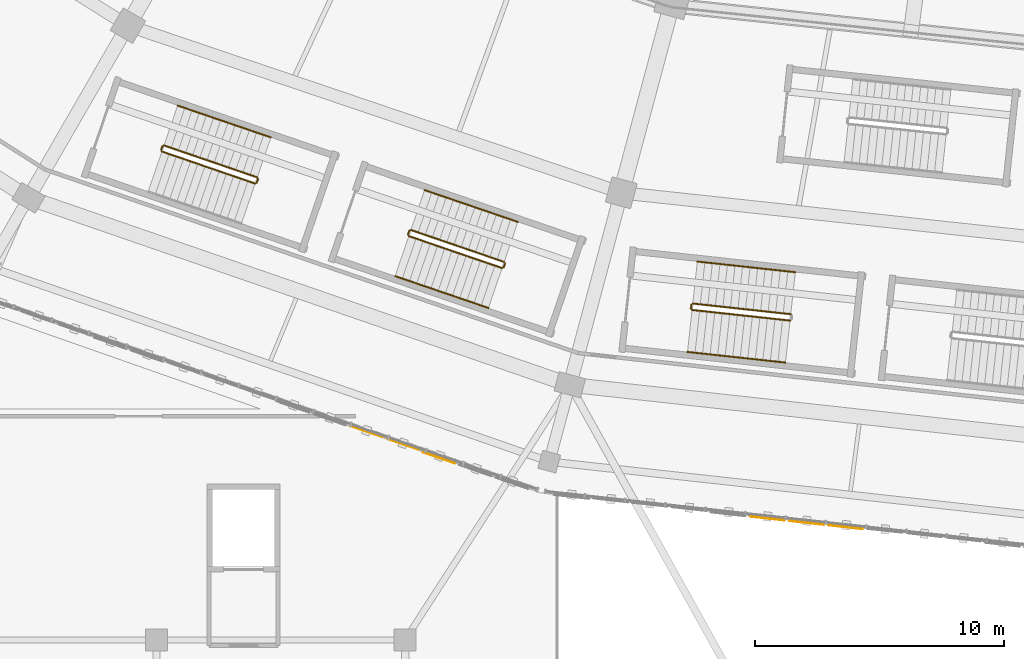
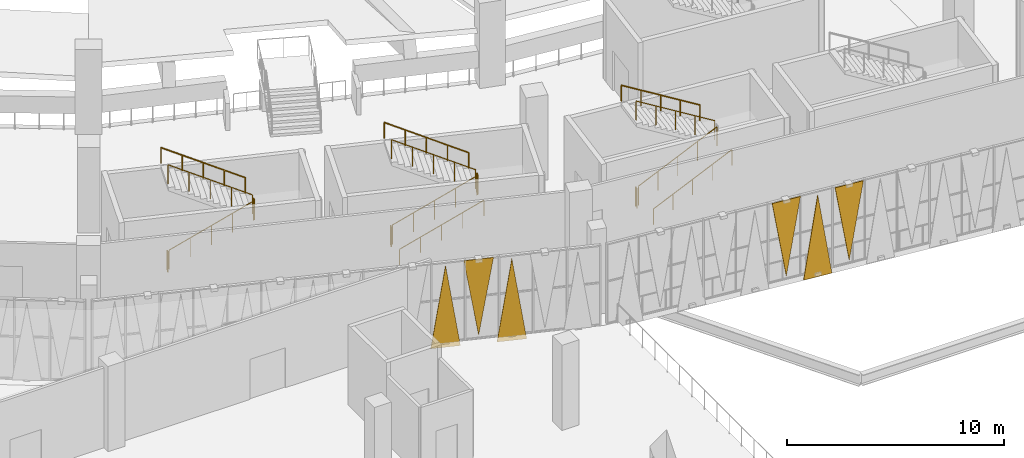
# One storey, part 133 of 183: 16 railings, 6 coverings.
"""IFC4 building model written with IfcOpenShell, lengths in metres."""

from ifc_helpers import new_model, si_unit, direction, frame, origin, origin_2d, place, context, subcontext, project, spatial, polyline, circle, outline, extrude, material, layer, layer_set, type_object, element, save


model = new_model("IFC4")

# Units and contexts
model_context = context("Model", 3, precision=1e-05, world=origin(), true_north=direction((0.0, 1.0)))
body_context = subcontext(model_context, "Body", "Model", "MODEL_VIEW")
ifc_project = project(units=[si_unit("LENGTHUNIT", "METRE"), si_unit("AREAUNIT", "SQUARE_METRE"), si_unit("VOLUMEUNIT", "CUBIC_METRE"), si_unit("PLANEANGLEUNIT", "RADIAN"), si_unit("MASSUNIT", "GRAM", prefix="KILO")], contexts=[model_context])

# Site, building, storey
site_placement = place(None, origin())
site = spatial("IfcSite", under=ifc_project, at=site_placement, CompositionType="ELEMENT")
building_placement = place(site_placement, origin())
building = spatial("IfcBuilding", under=site, at=building_placement, Name="Zevraka Park Crest Stadium", CompositionType="ELEMENT")
storey_placement = place(building_placement, frame((0.0, 0.0, 5.39990234375)))
storey = spatial("IfcBuildingStorey", under=building, at=storey_placement, Name="L01", CompositionType="ELEMENT", Elevation=5.39990234375)

# Coverings
ifc_material_1 = material(Name="Architectural golden-bronze perforated aluminium", Category="aluminium")
ifc_layer = layer(ifc_material_1, 0.034912109375)
ifc_layer_set = layer_set([ifc_layer], Name="Architectural golden-bronze perforated aluminium")
covering_type = type_object("IfcCoveringType", Name="CLD01", PredefinedType="CLADDING", material=ifc_layer_set)
covering_1_placement = place(storey_placement, frame((79.777099609375, 17.59912109375, -0.260009765625), z_axis=(-0.329491998785, -0.944158359092, 0.000125273108), x_axis=(0.9441583665, -0.329492001371, 0.0)))
element("IfcCovering", 1, at=covering_1_placement, inside=storey, type_object=covering_type, Name="Triangular Golden-Bronze Perforated Cladding L01-16-11", PredefinedType="CLADDING", context=body_context, shape_type="SweptSolid", body=[
    extrude(outline(polyline([(0.0, 0.0), (1.3937470825233202, -6.776263578034403e-21), (0.6966724353037923, 4.600097692345475), (0.0, 0.0)])), origin(), (0.0, 0.0, -1.0), 0.034912109375),
])
covering_2_placement = place(storey_placement, frame((82.56103515625, 16.62890625, 4.5), z_axis=(-0.329063674373, -0.94430772513, 0.000135893381), x_axis=(-0.94430773385, 0.329063677412, 0.0)))
element("IfcCovering", 2, at=covering_2_placement, inside=storey, type_object=covering_type, Name="Triangular Golden-Bronze Perforated Cladding L01-16-12", PredefinedType="CLADDING", context=body_context, shape_type="SweptSolid", body=[
    extrude(outline(polyline([(0.0, 0.0), (1.3948193207160489, 1.3552527156068805e-20), (0.6975948005547897, 4.2797851957674204), (0.0, 0.0)])), origin(), (0.0, 0.0, -1.0), 0.034912109375),
])
covering_3_placement = place(storey_placement, frame((82.7119140625, 16.575927734375, -0.260009765625), z_axis=(0.329281369478, 0.944231841946, 9.1488324e-05), x_axis=(0.944231845897, -0.329281370856, 0.0)))
element("IfcCovering", 3, at=covering_3_placement, inside=storey, type_object=covering_type, Name="Triangular Golden-Bronze Perforated Cladding L01-16-13", PredefinedType="CLADDING", context=body_context, shape_type="SweptSolid", body=[
    extrude(outline(polyline([(0.0, 0.0), (1.3938971822371224, 0.0), (0.6972246357144259, -4.60009767550167), (0.0, 0.0)])), origin(), (0.0, 0.0, -1.0), 0.034912109375),
])
covering_4_placement = place(storey_placement, frame((97.2880859375, 13.830078125, 4.5), z_axis=(0.110111997488, 0.993919181061, 9.760997e-05), x_axis=(-0.993919185796, 0.110111998013, 0.0)))
element("IfcCovering", 4, at=covering_4_placement, inside=storey, type_object=covering_type, Name="Triangular Golden-Bronze Perforated Cladding L01-17-6", PredefinedType="CLADDING", context=body_context, shape_type="SweptSolid", body=[
    extrude(outline(polyline([(0.0, 0.0), (1.4256613694050126, 1.6940658945086007e-21), (0.7123856968180892, -4.279785176638269), (0.0, 0.0)])), origin(), (0.0, 0.0, -1.0), 0.034912109375),
])
covering_5_placement = place(storey_placement, frame((97.447021484375, 13.81298828125, -0.260009765625), z_axis=(0.110111997218, 0.993919178618, 0.000120187557), x_axis=(0.993919185796, -0.110111998013, 0.0)))
element("IfcCovering", 5, at=covering_5_placement, inside=storey, type_object=covering_type, Name="Triangular Golden-Bronze Perforated Cladding L01-17-7", PredefinedType="CLADDING", context=body_context, shape_type="SweptSolid", body=[
    extrude(outline(polyline([(0.0, 0.0), (1.4256613694050126, 0.0), (0.713383203834983, -4.600097689474318), (0.0, 0.0)])), origin(), (0.0, 0.0, -1.0), 0.034912109375),
])
covering_6_placement = place(storey_placement, frame((100.44091796875, 13.48095703125, 4.5), z_axis=(0.110037080729, 0.993927472592, 0.000141746645), x_axis=(-0.993927482577, 0.110037081835, 0.0)))
element("IfcCovering", 6, at=covering_6_placement, inside=storey, type_object=covering_type, Name="Triangular Golden-Bronze Perforated Cladding L01-17-8", PredefinedType="CLADDING", context=body_context, shape_type="SweptSolid", body=[
    extrude(outline(polyline([(0.0, 0.0), (1.4266319976624326, 0.0), (0.7133831601360472, -4.2797851992449605), (0.0, 0.0)])), origin(), (0.0, 0.0, -1.0), 0.034912109375),
])

# Railings
ifc_material_2 = material(Name="Powder-coated tubular steel stairwell guard", Category="steel")
railing_type_1 = type_object("IfcRailingType", Name="GR03", PredefinedType="GUARDRAIL", material=ifc_material_2)
railing_1_placement = place(storey_placement, frame((72.218017578125, 28.649658203125, 0.171630859375)))
element("IfcRailing", 7, at=railing_1_placement, inside=storey, type_object=railing_type_1, Name="L01 ST17 stair guard 1", PredefinedType="GUARDRAIL", context=body_context, shape_type="SweptSolid", body=[
    extrude(circle(Radius=0.02392578125, at=origin_2d()), frame((0.0, 0.0, 1.076171875), z_axis=(0.824739296281, -0.282392023283, 0.489959017016), x_axis=(0.323938619155, 0.946078099852, 0.0)), (0.0, 0.0, 1.0), 4.54833984375),
    extrude(circle(Radius=0.02099609375, at=origin_2d()), origin(), (0.0, 0.0, 1.0), 1.052001953125),
    extrude(circle(Radius=0.02099609375, at=origin_2d()), frame((0.937744140625, -0.321044921875, 0.55712890625)), (0.0, 0.0, 1.0), 1.052001953125),
    extrude(circle(Radius=0.02099609375, at=origin_2d()), frame((1.87548828125, -0.64208984375, 1.1142578125)), (0.0, 0.0, 1.0), 1.052001953125),
    extrude(circle(Radius=0.02099609375, at=origin_2d()), frame((2.8134765625, -0.96337890625, 1.67138671875)), (0.0, 0.0, 1.0), 1.052001953125),
    extrude(circle(Radius=0.02099609375, at=origin_2d()), frame((3.751220703125, -1.284423828125, 2.228515625)), (0.0, 0.0, 1.0), 1.052001953125),
])
railing_2_placement = place(storey_placement, frame((76.03271484375, 27.396240234375, 2.400146484375)))
element("IfcRailing", 8, at=railing_2_placement, inside=storey, type_object=railing_type_1, Name="L01 ST17 stair guard 2", PredefinedType="GUARDRAIL", context=body_context, shape_type="SweptSolid", body=[
    extrude(circle(Radius=0.02392578125, at=origin_2d()), frame((0.0, 0.0, 1.076171875), z_axis=(0.324909238665, 0.945745201748, 0.0), x_axis=(-0.945745201748, 0.324909238665, 0.0)), (0.0, 0.0, 1.0), 0.16015625),
    extrude(circle(Radius=0.02099609375, at=origin_2d()), origin(), (0.0, 0.0, 1.0), 1.052001953125),
    extrude(circle(Radius=0.02099609375, at=origin_2d()), frame((0.052001953125, 0.1513671875, 0.0)), (0.0, 0.0, 1.0), 1.052001953125),
])
railing_3_placement = place(storey_placement, frame((76.053466796875, 27.611083984375, 2.571533203125)))
element("IfcRailing", 9, at=railing_3_placement, inside=storey, type_object=railing_type_1, Name="L01 ST17 stair guard 3", PredefinedType="GUARDRAIL", context=body_context, shape_type="SweptSolid", body=[
    extrude(circle(Radius=0.02392578125, at=origin_2d()), frame((0.0, 0.0, 1.076171875), z_axis=(-0.824726794133, 0.282441418206, 0.489951589772), x_axis=(-0.32399372979, -0.946059228091, 0.0)), (0.0, 0.0, 1.0), 4.54833984375),
    extrude(circle(Radius=0.02099609375, at=origin_2d()), origin(), (0.0, 0.0, 1.0), 1.052001953125),
    extrude(circle(Radius=0.02099609375, at=origin_2d()), frame((-0.937744140625, 0.3212890625, 0.55712890625)), (0.0, 0.0, 1.0), 1.052001953125),
    extrude(circle(Radius=0.02099609375, at=origin_2d()), frame((-1.87548828125, 0.642333984375, 1.1142578125)), (0.0, 0.0, 1.0), 1.052001953125),
    extrude(circle(Radius=0.02099609375, at=origin_2d()), frame((-2.8134765625, 0.96337890625, 1.67138671875)), (0.0, 0.0, 1.0), 1.052001953125),
    extrude(circle(Radius=0.02099609375, at=origin_2d()), frame((-3.751220703125, 1.28466796875, 2.228515625)), (0.0, 0.0, 1.0), 1.052001953125),
])
railing_4_placement = place(storey_placement, frame((72.18701171875, 28.713134765625, 0.0)))
element("IfcRailing", 10, at=railing_4_placement, inside=storey, type_object=railing_type_1, Name="L01 ST17 stair guard 4", PredefinedType="GUARDRAIL", context=body_context, shape_type="SweptSolid", body=[
    extrude(circle(Radius=0.02392578125, at=origin_2d()), frame((0.0, 0.0, 1.076171875), z_axis=(0.32354385955, 0.946213174156, 0.0), x_axis=(-0.946213174156, 0.32354385955, 0.0)), (0.0, 0.0, 1.0), 0.159912109375),
    extrude(circle(Radius=0.02099609375, at=origin_2d()), origin(), (0.0, 0.0, 1.0), 1.052001953125),
    extrude(circle(Radius=0.02099609375, at=origin_2d()), frame((0.0517578125, 0.1513671875, 0.0)), (0.0, 0.0, 1.0), 1.052001953125),
])
railing_5_placement = place(storey_placement, frame((93.546630859375, 22.278076171875, 0.171630859375)))
element("IfcRailing", 11, at=railing_5_placement, inside=storey, type_object=railing_type_1, Name="L01 ST18 stair guard 1", PredefinedType="GUARDRAIL", context=body_context, shape_type="SweptSolid", body=[
    extrude(circle(Radius=0.02392578125, at=origin_2d()), frame((0.0, 0.0, 1.076171875), z_axis=(0.866636892187, -0.094307012237, 0.489945593452), x_axis=(0.108180884773, 0.994131226836, 0.0)), (0.0, 0.0, 1.0), 4.548583984375),
    extrude(circle(Radius=0.02099609375, at=origin_2d()), origin(), (0.0, 0.0, 1.0), 1.052001953125),
    extrude(circle(Radius=0.02099609375, at=origin_2d()), frame((0.9853515625, -0.107177734375, 0.55712890625)), (0.0, 0.0, 1.0), 1.052001953125),
    extrude(circle(Radius=0.02099609375, at=origin_2d()), frame((1.970947265625, -0.21435546875, 1.1142578125)), (0.0, 0.0, 1.0), 1.052001953125),
    extrude(circle(Radius=0.02099609375, at=origin_2d()), frame((2.95654296875, -0.32177734375, 1.67138671875)), (0.0, 0.0, 1.0), 1.052001953125),
    extrude(circle(Radius=0.02099609375, at=origin_2d()), frame((3.94189453125, -0.428955078125, 2.228515625)), (0.0, 0.0, 1.0), 1.052001953125),
])
railing_6_placement = place(storey_placement, frame((97.5166015625, 22.107666015625, 2.571533203125)))
element("IfcRailing", 12, at=railing_6_placement, inside=storey, type_object=railing_type_1, Name="L01 ST18 stair guard 3", PredefinedType="GUARDRAIL", context=body_context, shape_type="SweptSolid", body=[
    extrude(circle(Radius=0.02392578125, at=origin_2d()), frame((0.0, 0.0, 1.076171875), z_axis=(-0.866623529368, 0.094311399263, 0.489968385015), x_axis=(-0.10818750693, -0.994130506193, 0.0)), (0.0, 0.0, 1.0), 4.54833984375),
    extrude(circle(Radius=0.02099609375, at=origin_2d()), origin(), (0.0, 0.0, 1.0), 1.052001953125),
    extrude(circle(Radius=0.02099609375, at=origin_2d()), frame((-0.9853515625, 0.107177734375, 0.55712890625)), (0.0, 0.0, 1.0), 1.052001953125),
    extrude(circle(Radius=0.02099609375, at=origin_2d()), frame((-1.970703125, 0.21435546875, 1.1142578125)), (0.0, 0.0, 1.0), 1.052001953125),
    extrude(circle(Radius=0.02099609375, at=origin_2d()), frame((-2.956298828125, 0.32177734375, 1.67138671875)), (0.0, 0.0, 1.0), 1.052001953125),
    extrude(circle(Radius=0.02099609375, at=origin_2d()), frame((-3.941650390625, 0.428955078125, 2.228515625)), (0.0, 0.0, 1.0), 1.052001953125),
])
railing_7_placement = place(storey_placement, frame((93.50244140625, 22.333251953125, 0.0)))
element("IfcRailing", 13, at=railing_7_placement, inside=storey, type_object=railing_type_1, Name="L01 ST18 stair guard 4", PredefinedType="GUARDRAIL", context=body_context, shape_type="SweptSolid", body=[
    extrude(circle(Radius=0.02392578125, at=origin_2d()), frame((0.0, 0.0, 1.076171875), z_axis=(0.108255734054, 0.994123078921, 0.0), x_axis=(-0.994123078921, 0.108255734054, 0.0)), (0.0, 0.0, 1.0), 0.16015625),
    extrude(circle(Radius=0.02099609375, at=origin_2d()), origin(), (0.0, 0.0, 1.0), 1.052001953125),
    extrude(circle(Radius=0.02099609375, at=origin_2d()), frame((0.017333984375, 0.1591796875, 0.0)), (0.0, 0.0, 1.0), 1.052001953125),
])
railing_8_placement = place(storey_placement, frame((82.152099609375, 25.248779296875, 0.171630859375)))
element("IfcRailing", 14, at=railing_8_placement, inside=storey, type_object=railing_type_1, Name="L01 ST29 stair guard 1", PredefinedType="GUARDRAIL", context=body_context, shape_type="SweptSolid", body=[
    extrude(circle(Radius=0.02392578125, at=origin_2d()), frame((0.0, 0.0, 1.076171875), z_axis=(0.824726794133, -0.282441418206, 0.489951589772), x_axis=(0.32399372979, 0.946059228091, 0.0)), (0.0, 0.0, 1.0), 4.54833984375),
    extrude(circle(Radius=0.02099609375, at=origin_2d()), origin(), (0.0, 0.0, 1.0), 1.052001953125),
    extrude(circle(Radius=0.02099609375, at=origin_2d()), frame((0.937744140625, -0.3212890625, 0.55712890625)), (0.0, 0.0, 1.0), 1.052001953125),
    extrude(circle(Radius=0.02099609375, at=origin_2d()), frame((1.87548828125, -0.642333984375, 1.1142578125)), (0.0, 0.0, 1.0), 1.052001953125),
    extrude(circle(Radius=0.02099609375, at=origin_2d()), frame((2.8134765625, -0.96337890625, 1.67138671875)), (0.0, 0.0, 1.0), 1.052001953125),
    extrude(circle(Radius=0.02099609375, at=origin_2d()), frame((3.751220703125, -1.28466796875, 2.228515625)), (0.0, 0.0, 1.0), 1.052001953125),
])
railing_9_placement = place(storey_placement, frame((85.966796875, 23.9951171875, 2.400146484375)))
element("IfcRailing", 15, at=railing_9_placement, inside=storey, type_object=railing_type_1, Name="L01 ST29 stair guard 2", PredefinedType="GUARDRAIL", context=body_context, shape_type="SweptSolid", body=[
    extrude(circle(Radius=0.02392578125, at=origin_2d()), frame((0.0, 0.0, 1.076171875), z_axis=(0.32354385955, 0.946213174156, 0.0), x_axis=(-0.946213174156, 0.32354385955, 0.0)), (0.0, 0.0, 1.0), 0.159912109375),
    extrude(circle(Radius=0.02099609375, at=origin_2d()), origin(), (0.0, 0.0, 1.0), 1.052001953125),
    extrude(circle(Radius=0.02099609375, at=origin_2d()), frame((0.0517578125, 0.1513671875, 0.0)), (0.0, 0.0, 1.0), 1.052001953125),
])
railing_10_placement = place(storey_placement, frame((85.987548828125, 24.210205078125, 2.571533203125)))
element("IfcRailing", 16, at=railing_10_placement, inside=storey, type_object=railing_type_1, Name="L01 ST29 stair guard 3", PredefinedType="GUARDRAIL", context=body_context, shape_type="SweptSolid", body=[
    extrude(circle(Radius=0.02392578125, at=origin_2d()), frame((0.0, 0.0, 1.076171875), z_axis=(-0.824739296281, 0.282392023283, 0.489959017016), x_axis=(-0.323938619155, -0.946078099852, 0.0)), (0.0, 0.0, 1.0), 4.54833984375),
    extrude(circle(Radius=0.02099609375, at=origin_2d()), origin(), (0.0, 0.0, 1.0), 1.052001953125),
    extrude(circle(Radius=0.02099609375, at=origin_2d()), frame((-0.937744140625, 0.321044921875, 0.55712890625)), (0.0, 0.0, 1.0), 1.052001953125),
    extrude(circle(Radius=0.02099609375, at=origin_2d()), frame((-1.87548828125, 0.64208984375, 1.1142578125)), (0.0, 0.0, 1.0), 1.052001953125),
    extrude(circle(Radius=0.02099609375, at=origin_2d()), frame((-2.8134765625, 0.96337890625, 1.67138671875)), (0.0, 0.0, 1.0), 1.052001953125),
    extrude(circle(Radius=0.02099609375, at=origin_2d()), frame((-3.751220703125, 1.284423828125, 2.228515625)), (0.0, 0.0, 1.0), 1.052001953125),
])
railing_11_placement = place(storey_placement, frame((82.12109375, 25.312255859375, 0.0)))
element("IfcRailing", 17, at=railing_11_placement, inside=storey, type_object=railing_type_1, Name="L01 ST29 stair guard 4", PredefinedType="GUARDRAIL", context=body_context, shape_type="SweptSolid", body=[
    extrude(circle(Radius=0.02392578125, at=origin_2d()), frame((0.0, 0.0, 1.076171875), z_axis=(0.32354385955, 0.946213174156, 0.0), x_axis=(-0.946213174156, 0.32354385955, 0.0)), (0.0, 0.0, 1.0), 0.159912109375),
    extrude(circle(Radius=0.02099609375, at=origin_2d()), origin(), (0.0, 0.0, 1.0), 1.052001953125),
    extrude(circle(Radius=0.02099609375, at=origin_2d()), frame((0.0517578125, 0.1513671875, 0.0)), (0.0, 0.0, 1.0), 1.052001953125),
])
ifc_material_3 = material(Name="Brushed stainless steel continuous handrail", Category="steel")
railing_type_2 = type_object("IfcRailingType", Name="HR01", PredefinedType="HANDRAIL", material=ifc_material_3)
railing_12_placement = place(storey_placement, frame((76.604248046875, 29.219482421875, 2.571533203125)))
element("IfcRailing", 18, at=railing_12_placement, inside=storey, type_object=railing_type_2, Name="L01 ST17 stair handrail 2", PredefinedType="HANDRAIL", context=body_context, shape_type="SweptSolid", body=[
    extrude(circle(Radius=0.02392578125, at=origin_2d()), frame((0.0, 0.0, 0.8759765625), z_axis=(-0.824739296281, 0.282392023283, 0.489959017016), x_axis=(-0.323938619155, -0.946078099852, 0.0)), (0.0, 0.0, 1.0), 4.54833984375),
    extrude(circle(Radius=0.02099609375, at=origin_2d()), origin(), (0.0, 0.0, 1.0), 0.851806640625),
    extrude(circle(Radius=0.02099609375, at=origin_2d()), frame((-0.937744140625, 0.321044921875, 0.55712890625)), (0.0, 0.0, 1.0), 0.851806640625),
    extrude(circle(Radius=0.02099609375, at=origin_2d()), frame((-1.87548828125, 0.64208984375, 1.1142578125)), (0.0, 0.0, 1.0), 0.851806640625),
    extrude(circle(Radius=0.02099609375, at=origin_2d()), frame((-2.8134765625, 0.96337890625, 1.67138671875)), (0.0, 0.0, 1.0), 0.851806640625),
    extrude(circle(Radius=0.02099609375, at=origin_2d()), frame((-3.751220703125, 1.284423828125, 2.228515625)), (0.0, 0.0, 1.0), 0.851806640625),
])
railing_13_placement = place(storey_placement, frame((93.36279296875, 20.588134765625, 0.171630859375)))
element("IfcRailing", 19, at=railing_13_placement, inside=storey, type_object=railing_type_2, Name="L01 ST18 stair handrail 1", PredefinedType="HANDRAIL", context=body_context, shape_type="SweptSolid", body=[
    extrude(circle(Radius=0.02392578125, at=origin_2d()), frame((0.0, 0.0, 0.8759765625), z_axis=(0.866623529368, -0.094311399263, 0.489968385015), x_axis=(0.10818750693, 0.994130506193, 0.0)), (0.0, 0.0, 1.0), 4.54833984375),
    extrude(circle(Radius=0.02099609375, at=origin_2d()), origin(), (0.0, 0.0, 1.0), 0.851806640625),
    extrude(circle(Radius=0.02099609375, at=origin_2d()), frame((0.9853515625, -0.107177734375, 0.55712890625)), (0.0, 0.0, 1.0), 0.851806640625),
    extrude(circle(Radius=0.02099609375, at=origin_2d()), frame((1.970703125, -0.21435546875, 1.1142578125)), (0.0, 0.0, 1.0), 0.851806640625),
    extrude(circle(Radius=0.02099609375, at=origin_2d()), frame((2.956298828125, -0.32177734375, 1.67138671875)), (0.0, 0.0, 1.0), 0.851806640625),
    extrude(circle(Radius=0.02099609375, at=origin_2d()), frame((3.941650390625, -0.428955078125, 2.228515625)), (0.0, 0.0, 1.0), 0.851806640625),
])
railing_14_placement = place(storey_placement, frame((97.700439453125, 23.797607421875, 2.571533203125)))
element("IfcRailing", 20, at=railing_14_placement, inside=storey, type_object=railing_type_2, Name="L01 ST18 stair handrail 2", PredefinedType="HANDRAIL", context=body_context, shape_type="SweptSolid", body=[
    extrude(circle(Radius=0.02392578125, at=origin_2d()), frame((0.0, 0.0, 0.8759765625), z_axis=(-0.866623529368, 0.094311399263, 0.489968385015), x_axis=(-0.10818750693, -0.994130506193, 0.0)), (0.0, 0.0, 1.0), 4.54833984375),
    extrude(circle(Radius=0.02099609375, at=origin_2d()), origin(), (0.0, 0.0, 1.0), 0.851806640625),
    extrude(circle(Radius=0.02099609375, at=origin_2d()), frame((-0.9853515625, 0.107177734375, 0.55712890625)), (0.0, 0.0, 1.0), 0.851806640625),
    extrude(circle(Radius=0.02099609375, at=origin_2d()), frame((-1.970703125, 0.21435546875, 1.1142578125)), (0.0, 0.0, 1.0), 0.851806640625),
    extrude(circle(Radius=0.02099609375, at=origin_2d()), frame((-2.956298828125, 0.32177734375, 1.67138671875)), (0.0, 0.0, 1.0), 0.851806640625),
    extrude(circle(Radius=0.02099609375, at=origin_2d()), frame((-3.941650390625, 0.428955078125, 2.228515625)), (0.0, 0.0, 1.0), 0.851806640625),
])
railing_15_placement = place(storey_placement, frame((81.601318359375, 23.640380859375, 0.171630859375)))
element("IfcRailing", 21, at=railing_15_placement, inside=storey, type_object=railing_type_2, Name="L01 ST29 stair handrail 1", PredefinedType="HANDRAIL", context=body_context, shape_type="SweptSolid", body=[
    extrude(circle(Radius=0.02392578125, at=origin_2d()), frame((0.0, 0.0, 0.8759765625), z_axis=(0.824726794133, -0.282441418206, 0.489951589772), x_axis=(0.32399372979, 0.946059228091, 0.0)), (0.0, 0.0, 1.0), 4.54833984375),
    extrude(circle(Radius=0.02099609375, at=origin_2d()), origin(), (0.0, 0.0, 1.0), 0.851806640625),
    extrude(circle(Radius=0.02099609375, at=origin_2d()), frame((0.937744140625, -0.3212890625, 0.55712890625)), (0.0, 0.0, 1.0), 0.851806640625),
    extrude(circle(Radius=0.02099609375, at=origin_2d()), frame((1.87548828125, -0.642333984375, 1.1142578125)), (0.0, 0.0, 1.0), 0.851806640625),
    extrude(circle(Radius=0.02099609375, at=origin_2d()), frame((2.8134765625, -0.96337890625, 1.67138671875)), (0.0, 0.0, 1.0), 0.851806640625),
    extrude(circle(Radius=0.02099609375, at=origin_2d()), frame((3.751220703125, -1.28466796875, 2.228515625)), (0.0, 0.0, 1.0), 0.851806640625),
])
railing_16_placement = place(storey_placement, frame((86.538330078125, 25.818359375, 2.571533203125)))
element("IfcRailing", 22, at=railing_16_placement, inside=storey, type_object=railing_type_2, Name="L01 ST29 stair handrail 2", PredefinedType="HANDRAIL", context=body_context, shape_type="SweptSolid", body=[
    extrude(circle(Radius=0.02392578125, at=origin_2d()), frame((0.0, 0.0, 0.8759765625), z_axis=(-0.824726794133, 0.282441418206, 0.489951589772), x_axis=(-0.32399372979, -0.946059228091, 0.0)), (0.0, 0.0, 1.0), 4.54833984375),
    extrude(circle(Radius=0.02099609375, at=origin_2d()), origin(), (0.0, 0.0, 1.0), 0.851806640625),
    extrude(circle(Radius=0.02099609375, at=origin_2d()), frame((-0.937744140625, 0.3212890625, 0.55712890625)), (0.0, 0.0, 1.0), 0.851806640625),
    extrude(circle(Radius=0.02099609375, at=origin_2d()), frame((-1.87548828125, 0.642333984375, 1.1142578125)), (0.0, 0.0, 1.0), 0.851806640625),
    extrude(circle(Radius=0.02099609375, at=origin_2d()), frame((-2.8134765625, 0.96337890625, 1.67138671875)), (0.0, 0.0, 1.0), 0.851806640625),
    extrude(circle(Radius=0.02099609375, at=origin_2d()), frame((-3.751220703125, 1.28466796875, 2.228515625)), (0.0, 0.0, 1.0), 0.851806640625),
])

save(model, "model.ifc")
